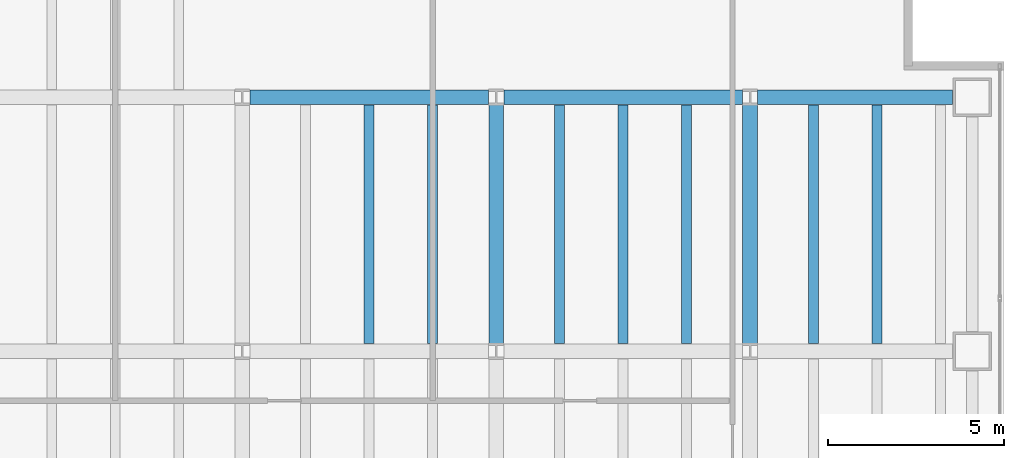
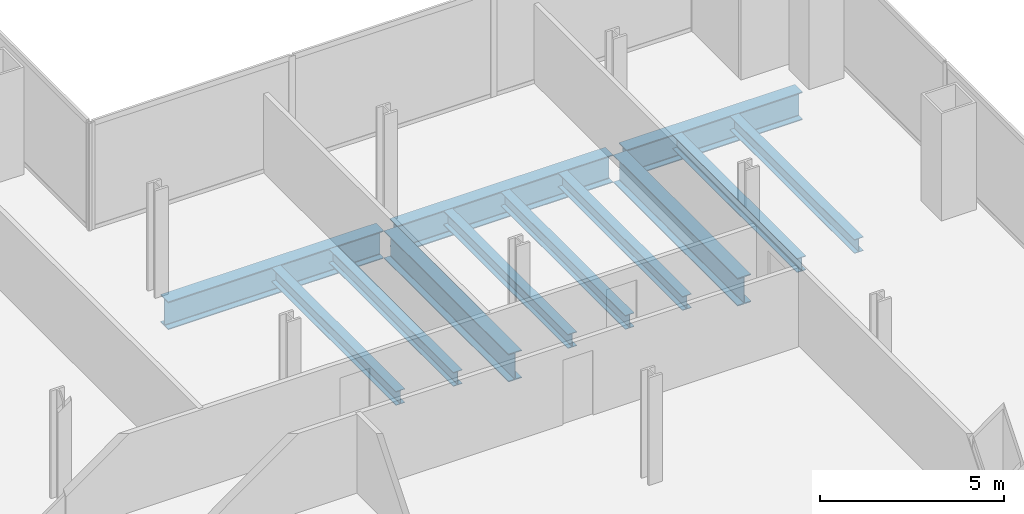
# One storey, part 11 of 23: 12 beams.
"""IFC4 building model written with IfcOpenShell, lengths in metres."""

from ifc_helpers import new_model, si_unit, direction, frame, origin, origin_2d, place, context, subcontext, project, spatial, i_section, extrude, material, material_profile, profile_set, type_object, element, save


model = new_model("IFC4")

# Units and contexts
model_context = context("Model", 3, precision=1e-05, world=origin(), true_north=direction((0.0, 1.0)))
body_context = subcontext(model_context, "Body", "Model", "MODEL_VIEW")
ifc_project = project(units=[si_unit("LENGTHUNIT", "METRE"), si_unit("AREAUNIT", "SQUARE_METRE"), si_unit("VOLUMEUNIT", "CUBIC_METRE"), si_unit("PLANEANGLEUNIT", "RADIAN"), si_unit("MASSUNIT", "GRAM", prefix="KILO")], contexts=[model_context])

# Site, building, storey
site_placement = place(None, origin())
site = spatial("IfcSite", under=ifc_project, at=site_placement, CompositionType="ELEMENT")
building_placement = place(site_placement, origin())
building = spatial("IfcBuilding", under=site, at=building_placement, Name="Cobrela Telecom Tower", CompositionType="ELEMENT")
storey_placement = place(building_placement, frame((0.0, 0.0, 38.85009765625)))
storey = spatial("IfcBuildingStorey", under=building, at=storey_placement, Name="L09", CompositionType="ELEMENT", Elevation=38.85009765625)

# Beams
ifc_material = material(Name="Steel ASTM A992 Grade 50", Category="steel")
ifc_material_profile_1 = material_profile(ifc_material, i_section(OverallWidth=0.4189453125, OverallDepth=0.927001953125, WebThickness=0.019287109375, FlangeThickness=0.031982421875, FilletRadius=0.02392578125, at=origin_2d()), Name="W36X231")
ifc_profile_set_1 = profile_set([ifc_material_profile_1], Name="Steel ASTM A992 Grade 50")
beam_type_1 = type_object("IfcBeamType", Name="BM-GIRD-02", PredefinedType="USERDEFINED", material=ifc_profile_set_1)
for number, where, z_axis, x_axis, name in (
    (1, (29.01611328125, 21.60009765625, -0.74365234375), (1.0, 0.0, 0.0), (0.0, 1.0, 0.0), "L09 Primary Girder X20"),
    (2, (36.216064453125, 21.60009765625, -0.74365234375), (1.0, 0.0, 0.0), (0.0, 1.0, 0.0), "L09 Primary Girder X21"),
):
    element("IfcBeam", number, at=place(storey_placement, frame(where, z_axis=z_axis, x_axis=x_axis)), inside=storey, type_object=beam_type_1, Name=name, ObjectType="GIRDER", PredefinedType="USERDEFINED", context=body_context, shape_type="SweptSolid", body=[
        extrude(i_section(OverallWidth=0.4189453125, OverallDepth=0.927001953125, WebThickness=0.019287109375, FlangeThickness=0.031982421875, FilletRadius=0.02392578125, at=origin_2d()), origin(), (0.0, 0.0, 1.0), 6.767822265625),
    ])
beam_placement = place(storey_placement, frame((43.416015625, 21.60009765625, -0.74365234375), z_axis=(1.0, 0.0, 0.0), x_axis=(0.0, 1.0, 0.0)))
element("IfcBeam", 3, at=beam_placement, inside=storey, type_object=beam_type_1, Name="L09 Primary Girder X22", ObjectType="GIRDER", PredefinedType="USERDEFINED", context=body_context, shape_type="SweptSolid", body=[
    extrude(i_section(OverallWidth=0.4189453125, OverallDepth=0.927001953125, WebThickness=0.019287109375, FlangeThickness=0.031982421875, FilletRadius=0.02392578125, at=origin_2d()), origin(), (0.0, 0.0, 1.0), 5.529052734375),
])
for number, where, z_axis, x_axis, name in (
    (4, (36.0, 14.615966796875, -0.74365234375), (0.0, 1.0, 0.0), (-1.0, 0.0, 0.0), "L09 Primary Girder Y52"),
    (5, (43.199951171875, 14.615966796875, -0.74365234375), (0.0, 1.0, 0.0), (-1.0, 0.0, 0.0), "L09 Primary Girder Y55"),
):
    element("IfcBeam", number, at=place(storey_placement, frame(where, z_axis=z_axis, x_axis=x_axis)), inside=storey, type_object=beam_type_1, Name=name, ObjectType="GIRDER", PredefinedType="USERDEFINED", context=body_context, shape_type="SweptSolid", body=[
        extrude(i_section(OverallWidth=0.4189453125, OverallDepth=0.927001953125, WebThickness=0.019287109375, FlangeThickness=0.031982421875, FilletRadius=0.02392578125, at=origin_2d()), origin(), (0.0, 0.0, 1.0), 6.76806640625),
    ])
ifc_material_profile_2 = material_profile(ifc_material, i_section(OverallWidth=0.281982421875, OverallDepth=0.467041015625, WebThickness=0.01220703125, FlangeThickness=0.01953125, FilletRadius=0.012939453125, at=origin_2d()), Name="W18X86")
ifc_profile_set_2 = profile_set([ifc_material_profile_2], Name="Steel ASTM A992 Grade 50")
beam_type_2 = type_object("IfcBeamType", Name="BM-JOIST-02", PredefinedType="JOIST", material=ifc_profile_set_2)
for number, where, z_axis, x_axis, name in (
    (6, (32.39990234375, 14.614501953125, -0.513671875), (0.0, 1.0, 0.0), (-1.0, 0.0, 0.0), "L09 Secondary Composite Floor Beam J46"),
    (7, (34.199951171875, 14.614501953125, -0.513671875), (0.0, 1.0, 0.0), (-1.0, 0.0, 0.0), "L09 Secondary Composite Floor Beam J49"),
    (8, (37.800048828125, 14.614501953125, -0.513671875), (0.0, 1.0, 0.0), (-1.0, 0.0, 0.0), "L09 Secondary Composite Floor Beam J52"),
    (9, (39.60009765625, 14.614501953125, -0.513671875), (0.0, 1.0, 0.0), (-1.0, 0.0, 0.0), "L09 Secondary Composite Floor Beam J55"),
    (10, (41.39990234375, 14.614501953125, -0.513671875), (0.0, 1.0, 0.0), (-1.0, 0.0, 0.0), "L09 Secondary Composite Floor Beam J58"),
    (11, (45.0, 14.614501953125, -0.513671875), (0.0, 1.0, 0.0), (-1.0, 0.0, 0.0), "L09 Secondary Composite Floor Beam J60"),
    (12, (46.800048828125, 14.614501953125, -0.513671875), (0.0, 1.0, 0.0), (-1.0, 0.0, 0.0), "L09 Secondary Composite Floor Beam J62"),
):
    element("IfcBeam", number, at=place(storey_placement, frame(where, z_axis=z_axis, x_axis=x_axis)), inside=storey, type_object=beam_type_2, Name=name, PredefinedType="JOIST", context=body_context, shape_type="SweptSolid", body=[
        extrude(i_section(OverallWidth=0.281982421875, OverallDepth=0.467041015625, WebThickness=0.01220703125, FlangeThickness=0.01953125, FilletRadius=0.012939453125, at=origin_2d()), origin(), (0.0, 0.0, 1.0), 6.77099609375),
    ])

save(model, "model.ifc")
